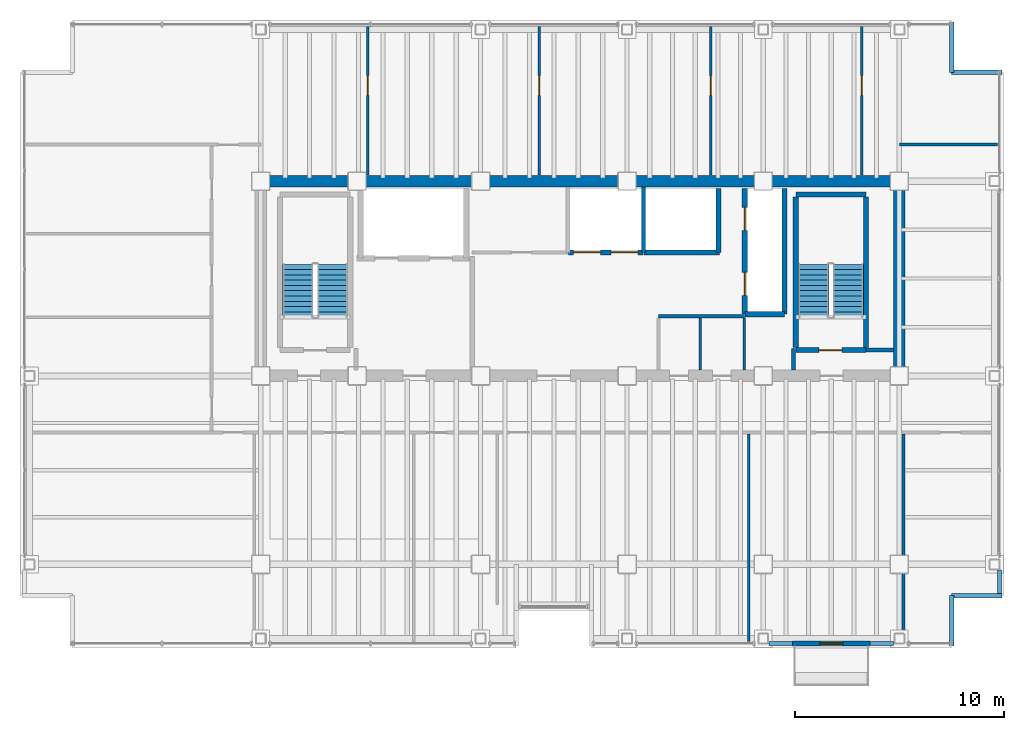
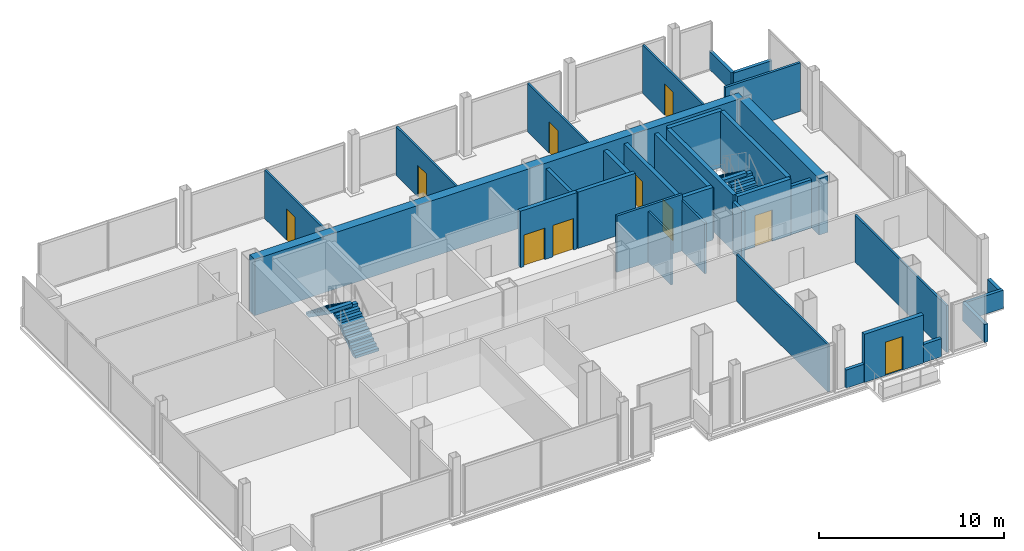
# One storey, part 17 of 19: 33 walls, 10 doors, 4 stair flights, 10 openings, 2 elements without a shape of their own.
"""IFC4 building model written with IfcOpenShell, lengths in metres."""

from ifc_helpers import new_model, si_unit, direction, frame, frame_2d, origin, place, context, subcontext, project, spatial, polyline, rectangle, outline, extrude, material, layer, layer_set, type_object, element, fill, aggregate, save


model = new_model("IFC4")

# Units and contexts
model_context = context("Model", 3, precision=1e-05, world=origin(), true_north=direction((0.0, 1.0)))
body_context = subcontext(model_context, "Body", "Model", "MODEL_VIEW")
ifc_project = project(units=[si_unit("LENGTHUNIT", "METRE"), si_unit("AREAUNIT", "SQUARE_METRE"), si_unit("VOLUMEUNIT", "CUBIC_METRE"), si_unit("PLANEANGLEUNIT", "RADIAN"), si_unit("MASSUNIT", "GRAM", prefix="KILO")], contexts=[model_context])

# Site, building, storey
site_placement = place(None, origin())
site = spatial("IfcSite", under=ifc_project, at=site_placement, CompositionType="ELEMENT")
building_placement = place(site_placement, origin())
building = spatial("IfcBuilding", under=site, at=building_placement, Name="Noeulbin Bourse Tower", CompositionType="ELEMENT")
storey_placement = place(building_placement, frame((0.0, 0.0, 146.10009765625)))
storey = spatial("IfcBuildingStorey", under=building, at=storey_placement, Name="L36", CompositionType="ELEMENT", Elevation=146.10009765625)

# Walls
ifc_material_1 = material(Name="Concrete C60/75", Category="concrete")
ifc_layer_1 = layer(ifc_material_1, 0.550048828125)
ifc_layer_set_1 = layer_set([ifc_layer_1], Name="Concrete C60/75")
wall_type_1 = type_object("IfcWallType", Name="WAL-CORE-550", PredefinedType="SHEAR", material=ifc_layer_set_1)
wall_1_placement = place(storey_placement, frame((13.5, 38.300048828125, 0.0), z_axis=(0.0, 0.0, 1.0), x_axis=(1.0, 0.0, 0.0)))
element("IfcWall", 1, at=wall_1_placement, inside=storey, type_object=wall_type_1, Name="Rear Core North Shear Wall L36", PredefinedType="SHEAR", context=body_context, shape_type="SweptSolid", body=[
    extrude(rectangle(XDim=30.5, YDim=0.550048828125, at=frame_2d((15.25, 0.0))), origin(), (0.0, 0.0, 1.0), 3.719970703125),
])
wall_2_placement = place(storey_placement, frame((44.0, 29.35009765625, 0.0), z_axis=(0.0, 0.0, 1.0), x_axis=(0.0, 1.0, 0.0)))
element("IfcWall", 2, at=wall_2_placement, inside=storey, type_object=wall_type_1, Name="Rear Core East Shear Wall L36", PredefinedType="SHEAR", context=body_context, shape_type="SweptSolid", body=[
    extrude(rectangle(XDim=8.599853515625, YDim=0.550048828125, at=frame_2d((4.2998046875, 0.0))), origin(), (0.0, 0.0, 1.0), 3.719970703125),
])

# Wall, opening, door
ifc_material_2 = material(Name="Precast Concrete C40/50", Category="concrete")
ifc_layer_2 = layer(ifc_material_2, 0.25)
ifc_layer_set_2 = layer_set([ifc_layer_2], Name="Precast Concrete C40/50")
wall_type_2 = type_object("IfcWallType", Name="WAL-EXT-250", PredefinedType="STANDARD", material=ifc_layer_set_2)
wall_3_placement = place(storey_placement, frame((38.89990234375, 16.219970703125, 0.0), z_axis=(0.0, 0.0, 1.0), x_axis=(1.0, 0.0, 0.0)))
wall_3 = element("IfcWall", 3, at=wall_3_placement, inside=storey, type_object=wall_type_2, Name="Balcony Threshold Wall L36", PredefinedType="STANDARD", context=body_context, shape_type="SweptSolid", body=[
    extrude(rectangle(XDim=3.7001953125, YDim=0.25, at=frame_2d((1.85009765625, 0.0))), origin(), (0.0, 0.0, 1.0), 3.179931640625),
])
opening_1_placement = place(wall_3_placement, frame((1.300048828125, 0.0, 0.0)))
opening_1 = element("IfcOpeningElement", 4, at=opening_1_placement, cuts=wall_3, Name="Opening BD-11", PredefinedType="OPENING", context=body_context, shape_type="SweptSolid", body=[
    extrude(rectangle(XDim=1.10009765625, YDim=2.199951171875, at=frame_2d((0.550048828125, 1.10009765625))), frame((0.0, 0.135009765625, 0.0), z_axis=(0.0, -1.0, 0.0), x_axis=(1.0, 0.0, 0.0)), (0.0, 0.0, 1.0), 0.27001953125),
])
ifc_material_3 = material(Name="Thermally Broken Aluminium Framed Glass", Category="aluminium")
door_type_1 = type_object("IfcDoorType", Name="DR-BAL-1100", OperationType="SINGLE_SWING_LEFT", PredefinedType="DOOR", material=ifc_material_3)
door_1_placement = place(opening_1_placement, origin())
door_1 = element("IfcDoor", 5, at=door_1_placement, inside=storey, type_object=door_type_1, Name="Tree-Balcony Access Door BD-L36", OperationType="SINGLE_SWING_RIGHT", OverallHeight=2.199951171875, OverallWidth=1.10009765625, PredefinedType="DOOR", context=body_context, shape_type="SweptSolid", body=[
    extrude(rectangle(XDim=1.10009765625, YDim=2.199951171875, at=frame_2d((0.550048828125, 1.10009765625))), frame((0.0, 0.02490234375, 0.0), z_axis=(0.0, -1.0, 0.0), x_axis=(1.0, 0.0, 0.0)), (0.0, 0.0, 1.0), 0.050048828125),
])
fill(opening_1, door_1)

# Walls
ifc_material_4 = material(Name="Concrete C40/50", Category="concrete")
ifc_layer_3 = layer(ifc_material_4, 0.199951171875)
ifc_layer_set_3 = layer_set([ifc_layer_3], Name="Concrete C40/50")
wall_type_3 = type_object("IfcWallType", Name="WAL-FIRE-200", PredefinedType="STANDARD", material=ifc_layer_set_3)
wall_4_placement = place(storey_placement, frame((42.39990234375, 30.239990234375, 0.0), z_axis=(0.0, 0.0, 1.0), x_axis=(1.0, 0.0, 0.0)))
element("IfcWall", 6, at=wall_4_placement, inside=storey, type_object=wall_type_3, Name="Interior Partition Wall L36-01", PredefinedType="STANDARD", context=body_context, shape_type="SweptSolid", body=[
    extrude(rectangle(XDim=1.315185546875, YDim=0.199951171875, at=frame_2d((0.65771484375, 0.0))), origin(), (0.0, 0.0, 1.0), 3.199951171875),
])
wall_5_placement = place(storey_placement, frame((38.949951171875, 29.284912109375, 0.0), z_axis=(0.0, 0.0, 1.0), x_axis=(0.0, 1.0, 0.0)))
element("IfcWall", 7, at=wall_5_placement, inside=storey, type_object=wall_type_3, Name="Interior Partition Wall L36-10", PredefinedType="STANDARD", context=body_context, shape_type="SweptSolid", body=[
    extrude(rectangle(XDim=1.01513671875, YDim=0.199951171875, at=frame_2d((0.507568359375, 0.0))), origin(), (0.0, 0.0, 1.0), 3.349853515625),
])
ifc_layer_4 = layer(ifc_material_4, 0.199951171875)
ifc_layer_set_4 = layer_set([ifc_layer_4], Name="Concrete C40/50")
wall_type_4 = type_object("IfcWallType", Name="WAL-PAR-200", PredefinedType="PARAPET", material=ifc_layer_set_4)
for number, where, z_axis, x_axis, name in (
    (8, (48.780029296875, 18.60009765625, 0.0), (0.0, 0.0, 1.0), (0.0, 1.0, 0.0), "Perimeter Pier Spandrel Parapet L36-E2"),
    (9, (37.77001953125, 16.219970703125, 0.0), (0.0, 0.0, 1.0), (1.0, 0.0, 0.0), "Perimeter Pier Spandrel Parapet L36-S3"),
    (10, (42.60009765625, 16.219970703125, 0.0), (0.0, 0.0, 1.0), (1.0, 0.0, 0.0), "Perimeter Pier Spandrel Parapet L36-S4"),
):
    element("IfcWall", number, at=place(storey_placement, frame(where, z_axis=z_axis, x_axis=x_axis)), inside=storey, type_object=wall_type_4, Name=name, PredefinedType="PARAPET", context=body_context, shape_type="SweptSolid", body=[
        extrude(rectangle(XDim=1.1298828125, YDim=0.199951171875, at=frame_2d((0.56494140625, 0.0))), origin(), (0.0, 0.0, 1.0), 1.199951171875),
    ])
for number, where, z_axis, x_axis, name in (
    (11, (46.5, 16.10009765625, 0.0), (0.0, 0.0, 1.0), (0.0, 1.0, 0.0), "Corner Notch Parapet L36-SE1"),
    (12, (46.5, 18.5, 0.0), (0.0, 0.0, 1.0), (1.0, 0.0, 0.0), "Corner Notch Parapet L36-SE2"),
    (13, (46.5, 45.89990234375, 0.0), (0.0, 0.0, 1.0), (0.0, -1.0, 0.0), "Corner Notch Parapet L36-NE1"),
    (14, (46.5, 43.5, 0.0), (0.0, 0.0, 1.0), (1.0, 0.0, 0.0), "Corner Notch Parapet L36-NE2"),
):
    element("IfcWall", number, at=place(storey_placement, frame(where, z_axis=z_axis, x_axis=x_axis)), inside=storey, type_object=wall_type_4, Name=name, PredefinedType="PARAPET", context=body_context, shape_type="SweptSolid", body=[
        extrude(rectangle(XDim=2.39990234375, YDim=0.199951171875, at=frame_2d((1.199951171875, 0.0))), origin(), (0.0, 0.0, 1.0), 1.199951171875),
    ])
ifc_material_5 = material(Name="Steel Stud Gypsum Partition", Category="steel")
ifc_layer_5 = layer(ifc_material_5, 0.1201171875)
ifc_layer_set_5 = layer_set([ifc_layer_5], Name="Steel Stud Gypsum Partition")
wall_type_5 = type_object("IfcWallType", Name="WAL-PRT-120", PredefinedType="PARTITIONING", material=ifc_layer_set_5)
for number, where, z_axis, x_axis, name in (
    (15, (36.60009765625, 29.284912109375, 0.0), (0.0, 0.0, 1.0), (0.0, 1.0, 0.0), "Interior Partition Wall L36-13"),
    (16, (34.5, 29.284912109375, 0.0), (0.0, 0.0, 1.0), (0.0, 1.0, 0.0), "Interior Partition Wall L36-14"),
):
    element("IfcWall", number, at=place(storey_placement, frame(where, z_axis=z_axis, x_axis=x_axis)), inside=storey, type_object=wall_type_5, Name=name, PredefinedType="PARTITIONING", context=body_context, shape_type="SweptSolid", body=[
        extrude(rectangle(XDim=2.47998046875, YDim=0.1201171875, at=frame_2d((1.239990234375, 0.0))), origin(), (0.0, 0.0, 1.0), 3.349853515625),
    ])
for number, where, z_axis, x_axis, name in (
    (17, (36.800048828125, 16.31005859375, 0.0), (0.0, 0.0, 1.0), (0.0, 1.0, 0.0), "Interior Partition Wall L36-19"),
    (18, (44.199951171875, 16.31005859375, 0.0), (0.0, 0.0, 1.0), (0.0, 1.0, 0.0), "Interior Partition Wall L36-20"),
):
    element("IfcWall", number, at=place(storey_placement, frame(where, z_axis=z_axis, x_axis=x_axis)), inside=storey, type_object=wall_type_5, Name=name, PredefinedType="PARTITIONING", context=body_context, shape_type="SweptSolid", body=[
        extrude(rectangle(XDim=9.905029296875, YDim=0.1201171875, at=frame_2d((4.95263671875, 0.0))), origin(), (0.0, 0.0, 1.0), 3.099853515625),
    ])

# Wall, opening, door
wall_6_placement = place(storey_placement, frame((18.60009765625, 38.5849609375, 0.0), z_axis=(0.0, 0.0, 1.0), x_axis=(0.0, 1.0, 0.0)))
wall_6 = element("IfcWall", 19, at=wall_6_placement, inside=storey, type_object=wall_type_5, Name="Interior Partition Wall L36-21", PredefinedType="PARTITIONING", context=body_context, shape_type="SweptSolid", body=[
    extrude(rectangle(XDim=7.10498046875, YDim=0.1201171875, at=frame_2d((3.552490234375, 0.0))), origin(), (0.0, 0.0, 1.0), 3.2119140625),
])
opening_2_placement = place(wall_6_placement, frame((3.81005859375, 0.0, 0.0)))
opening_2 = element("IfcOpeningElement", 20, at=opening_2_placement, cuts=wall_6, Name="Opening ID-09", PredefinedType="OPENING", context=body_context, shape_type="SweptSolid", body=[
    extrude(rectangle(XDim=0.949951171875, YDim=2.080078125, at=frame_2d((0.47509765625, 1.0400390625))), frame((0.0, 0.070068359375, 0.0), z_axis=(0.0, -1.0, 0.0), x_axis=(1.0, 0.0, 0.0)), (0.0, 0.0, 1.0), 0.14013671875),
])
ifc_material_6 = material(Name="Acoustic Solid-Core Timber", Category="wood")
door_type_2 = type_object("IfcDoorType", Name="DR-SINGLE-950", OperationType="SINGLE_SWING_LEFT", PredefinedType="DOOR", material=ifc_material_6)
door_2_placement = place(opening_2_placement, origin())
door_2 = element("IfcDoor", 21, at=door_2_placement, inside=storey, type_object=door_type_2, Name="Interior Door L36-18", OperationType="SINGLE_SWING_RIGHT", OverallHeight=2.080078125, OverallWidth=0.949951171875, PredefinedType="DOOR", context=body_context, shape_type="SweptSolid", body=[
    extrude(rectangle(XDim=0.949951171875, YDim=2.080078125, at=frame_2d((0.47509765625, 1.0400390625))), frame((0.0, 0.02490234375, 0.0), z_axis=(0.0, -1.0, 0.0), x_axis=(1.0, 0.0, 0.0)), (0.0, 0.0, 1.0), 0.050048828125),
])
fill(opening_2, door_2)

wall_7_placement = place(storey_placement, frame((26.800048828125, 38.5849609375, 0.0), z_axis=(0.0, 0.0, 1.0), x_axis=(0.0, 1.0, 0.0)))
wall_7 = element("IfcWall", 22, at=wall_7_placement, inside=storey, type_object=wall_type_5, Name="Interior Partition Wall L36-22", PredefinedType="PARTITIONING", context=body_context, shape_type="SweptSolid", body=[
    extrude(rectangle(XDim=7.10498046875, YDim=0.1201171875, at=frame_2d((3.552490234375, 0.0))), origin(), (0.0, 0.0, 1.0), 3.2119140625),
])
opening_3_placement = place(wall_7_placement, frame((3.81005859375, 0.0, 0.0)))
opening_3 = element("IfcOpeningElement", 23, at=opening_3_placement, cuts=wall_7, Name="Opening ID-09", PredefinedType="OPENING", context=body_context, shape_type="SweptSolid", body=[
    extrude(rectangle(XDim=0.949951171875, YDim=2.080078125, at=frame_2d((0.47509765625, 1.0400390625))), frame((0.0, 0.070068359375, 0.0), z_axis=(0.0, -1.0, 0.0), x_axis=(1.0, 0.0, 0.0)), (0.0, 0.0, 1.0), 0.14013671875),
])
door_3_placement = place(opening_3_placement, origin())
door_3 = element("IfcDoor", 24, at=door_3_placement, inside=storey, type_object=door_type_2, Name="Interior Door L36-19", OperationType="SINGLE_SWING_LEFT", OverallHeight=2.080078125, OverallWidth=0.949951171875, PredefinedType="DOOR", context=body_context, shape_type="SweptSolid", body=[
    extrude(rectangle(XDim=0.949951171875, YDim=2.080078125, at=frame_2d((0.47509765625, 1.0400390625))), frame((0.0, 0.02490234375, 0.0), z_axis=(0.0, -1.0, 0.0), x_axis=(1.0, 0.0, 0.0)), (0.0, 0.0, 1.0), 0.050048828125),
])
fill(opening_3, door_3)

wall_8_placement = place(storey_placement, frame((35.0, 38.5849609375, 0.0), z_axis=(0.0, 0.0, 1.0), x_axis=(0.0, 1.0, 0.0)))
wall_8 = element("IfcWall", 25, at=wall_8_placement, inside=storey, type_object=wall_type_5, Name="Interior Partition Wall L36-23", PredefinedType="PARTITIONING", context=body_context, shape_type="SweptSolid", body=[
    extrude(rectangle(XDim=7.10498046875, YDim=0.1201171875, at=frame_2d((3.552490234375, 0.0))), origin(), (0.0, 0.0, 1.0), 3.2119140625),
])
opening_4_placement = place(wall_8_placement, frame((3.81005859375, 0.0, 0.0)))
opening_4 = element("IfcOpeningElement", 26, at=opening_4_placement, cuts=wall_8, Name="Opening ID-09", PredefinedType="OPENING", context=body_context, shape_type="SweptSolid", body=[
    extrude(rectangle(XDim=0.949951171875, YDim=2.080078125, at=frame_2d((0.47509765625, 1.0400390625))), frame((0.0, 0.070068359375, 0.0), z_axis=(0.0, -1.0, 0.0), x_axis=(1.0, 0.0, 0.0)), (0.0, 0.0, 1.0), 0.14013671875),
])
door_4_placement = place(opening_4_placement, origin())
door_4 = element("IfcDoor", 27, at=door_4_placement, inside=storey, type_object=door_type_2, Name="Interior Door L36-20", OperationType="SINGLE_SWING_RIGHT", OverallHeight=2.080078125, OverallWidth=0.949951171875, PredefinedType="DOOR", context=body_context, shape_type="SweptSolid", body=[
    extrude(rectangle(XDim=0.949951171875, YDim=2.080078125, at=frame_2d((0.47509765625, 1.0400390625))), frame((0.0, 0.02490234375, 0.0), z_axis=(0.0, -1.0, 0.0), x_axis=(1.0, 0.0, 0.0)), (0.0, 0.0, 1.0), 0.050048828125),
])
fill(opening_4, door_4)

wall_9_placement = place(storey_placement, frame((42.199951171875, 38.5849609375, 0.0), z_axis=(0.0, 0.0, 1.0), x_axis=(0.0, 1.0, 0.0)))
wall_9 = element("IfcWall", 28, at=wall_9_placement, inside=storey, type_object=wall_type_5, Name="Interior Partition Wall L36-24", PredefinedType="PARTITIONING", context=body_context, shape_type="SweptSolid", body=[
    extrude(rectangle(XDim=7.10498046875, YDim=0.1201171875, at=frame_2d((3.552490234375, 0.0))), origin(), (0.0, 0.0, 1.0), 3.2119140625),
])
opening_5_placement = place(wall_9_placement, frame((3.81005859375, 0.0, 0.0)))
opening_5 = element("IfcOpeningElement", 29, at=opening_5_placement, cuts=wall_9, Name="Opening ID-09", PredefinedType="OPENING", context=body_context, shape_type="SweptSolid", body=[
    extrude(rectangle(XDim=0.949951171875, YDim=2.080078125, at=frame_2d((0.47509765625, 1.0400390625))), frame((0.0, 0.070068359375, 0.0), z_axis=(0.0, -1.0, 0.0), x_axis=(1.0, 0.0, 0.0)), (0.0, 0.0, 1.0), 0.14013671875),
])
door_5_placement = place(opening_5_placement, origin())
door_5 = element("IfcDoor", 30, at=door_5_placement, inside=storey, type_object=door_type_2, Name="Interior Door L36-21", OperationType="SINGLE_SWING_LEFT", OverallHeight=2.080078125, OverallWidth=0.949951171875, PredefinedType="DOOR", context=body_context, shape_type="SweptSolid", body=[
    extrude(rectangle(XDim=0.949951171875, YDim=2.080078125, at=frame_2d((0.47509765625, 1.0400390625))), frame((0.0, 0.02490234375, 0.0), z_axis=(0.0, -1.0, 0.0), x_axis=(1.0, 0.0, 0.0)), (0.0, 0.0, 1.0), 0.050048828125),
])
fill(opening_5, door_5)

# Walls
ifc_material_7 = material(Name="Steel Stud Acoustic Gypsum Board", Category="steel")
ifc_layer_6 = layer(ifc_material_7, 0.14990234375)
ifc_layer_set_6 = layer_set([ifc_layer_6], Name="Steel Stud Acoustic Gypsum Board")
wall_type_6 = type_object("IfcWallType", Name="WAL-PRT-150", PredefinedType="PARTITIONING", material=ifc_layer_set_6)
wall_10_placement = place(storey_placement, frame((32.5, 31.85009765625, 0.0), z_axis=(0.0, 0.0, 1.0), x_axis=(1.0, 0.0, 0.0)))
element("IfcWall", 31, at=wall_10_placement, inside=storey, type_object=wall_type_6, Name="Interior Partition Wall L36-03", PredefinedType="PARTITIONING", context=body_context, shape_type="SweptSolid", body=[
    extrude(rectangle(XDim=4.10009765625, YDim=0.14990234375, at=frame_2d((2.050048828125, 0.0))), origin(), (0.0, 0.0, 1.0), 3.719970703125),
])
wall_11_placement = place(storey_placement, frame((44.0, 40.050048828125, 0.0), z_axis=(0.0, 0.0, 1.0), x_axis=(1.0, 0.0, 0.0)))
element("IfcWall", 32, at=wall_11_placement, inside=storey, type_object=wall_type_6, Name="Interior Partition Wall L36-08", PredefinedType="PARTITIONING", context=body_context, shape_type="SweptSolid", body=[
    extrude(rectangle(XDim=4.68994140625, YDim=0.14990234375, at=frame_2d((2.344970703125, 0.0))), origin(), (0.0, 0.0, 1.0), 3.199951171875),
])

# Wall, opening, door
ifc_layer_7 = layer(ifc_material_4, 0.25)
ifc_layer_set_7 = layer_set([ifc_layer_7], Name="Concrete C40/50")
wall_type_7 = type_object("IfcWallType", Name="WAL-SHFT-250", PredefinedType="STANDARD", material=ifc_layer_set_7)
wall_12_placement = place(storey_placement, frame((39.06005859375, 30.235107421875, 0.0), z_axis=(0.0, 0.0, 1.0), x_axis=(1.0, 0.0, 0.0)))
wall_12 = element("IfcWall", 33, at=wall_12_placement, inside=storey, type_object=wall_type_7, Name="Stair ST-2 South Shaft Wall L36", PredefinedType="STANDARD", context=body_context, shape_type="SweptSolid", body=[
    extrude(rectangle(XDim=3.33984375, YDim=0.25, at=frame_2d((1.669921875, 0.0))), origin(), (0.0, 0.0, 1.0), 3.719970703125),
])
opening_6_placement = place(wall_12_placement, frame((1.10009765625, 0.0, 0.0)))
opening_6 = element("IfcOpeningElement", 34, at=opening_6_placement, cuts=wall_12, Name="Opening FD-11", PredefinedType="OPENING", context=body_context, shape_type="SweptSolid", body=[
    extrude(rectangle(XDim=1.10009765625, YDim=2.080078125, at=frame_2d((0.550048828125, 1.0400390625))), frame((0.0, 0.135009765625, 0.0), z_axis=(0.0, -1.0, 0.0), x_axis=(1.0, 0.0, 0.0)), (0.0, 0.0, 1.0), 0.27001953125),
])
ifc_material_8 = material(Name="Fire-Rated Insulated Steel", Category="steel")
door_type_3 = type_object("IfcDoorType", Name="DR-FD60-1100", OperationType="SINGLE_SWING_LEFT", PredefinedType="DOOR", material=ifc_material_8)
door_6_placement = place(opening_6_placement, origin())
door_6 = element("IfcDoor", 35, at=door_6_placement, inside=storey, type_object=door_type_3, Name="Protected Stair Entry Door ST2-L36", OperationType="SINGLE_SWING_RIGHT", OverallHeight=2.080078125, OverallWidth=1.10009765625, PredefinedType="DOOR", context=body_context, shape_type="SweptSolid", body=[
    extrude(rectangle(XDim=1.10009765625, YDim=2.080078125, at=frame_2d((0.550048828125, 1.0400390625))), frame((0.0, 0.02490234375, 0.0), z_axis=(0.0, -1.0, 0.0), x_axis=(1.0, 0.0, 0.0)), (0.0, 0.0, 1.0), 0.050048828125),
])
fill(opening_6, door_6)

# Walls
wall_13_placement = place(storey_placement, frame((39.06005859375, 37.6689453125, 0.0), z_axis=(0.0, 0.0, 1.0), x_axis=(1.0, 0.0, 0.0)))
element("IfcWall", 36, at=wall_13_placement, inside=storey, type_object=wall_type_7, Name="Stair ST-2 North Shaft Wall L36", PredefinedType="STANDARD", context=body_context, shape_type="SweptSolid", body=[
    extrude(rectangle(XDim=3.33984375, YDim=0.25, at=frame_2d((1.669921875, 0.0))), origin(), (0.0, 0.0, 1.0), 3.719970703125),
])
for number, where, z_axis, x_axis, name in (
    (37, (39.054931640625, 30.360107421875, 0.0), (0.0, 0.0, 1.0), (0.0, 1.0, 0.0), "Stair ST-2 West Shaft Wall L36"),
    (38, (42.405029296875, 30.360107421875, 0.0), (0.0, 0.0, 1.0), (0.0, 1.0, 0.0), "Stair ST-2 East Shaft Wall L36"),
):
    element("IfcWall", number, at=place(storey_placement, frame(where, z_axis=z_axis, x_axis=x_axis)), inside=storey, type_object=wall_type_7, Name=name, PredefinedType="STANDARD", context=body_context, shape_type="SweptSolid", body=[
        extrude(rectangle(XDim=7.183837890625, YDim=0.25, at=frame_2d((3.591796875, 0.0))), origin(), (0.0, 0.0, 1.0), 3.719970703125),
    ])

# Wall, openings, doors
wall_14_placement = place(storey_placement, frame((36.6201171875, 31.949951171875, 0.0), z_axis=(0.0, 0.0, 1.0), x_axis=(0.0, 1.0, 0.0)))
wall_14 = element("IfcWall", 39, at=wall_14_placement, inside=storey, type_object=wall_type_7, Name="Service Lift Shaft Wall L36", PredefinedType="STANDARD", context=body_context, shape_type="SweptSolid", body=[
    extrude(rectangle(XDim=6.0, YDim=0.25, at=frame_2d((3.0, 0.0))), origin(), (0.0, 0.0, 1.0), 3.349853515625),
])
opening_7_placement = place(wall_14_placement, frame((0.89990234375, 0.0, 0.0)))
opening_7 = element("IfcOpeningElement", 40, at=opening_7_placement, cuts=wall_14, Name="Opening LD-11", PredefinedType="OPENING", context=body_context, shape_type="SweptSolid", body=[
    extrude(rectangle(XDim=1.10009765625, YDim=2.080078125, at=frame_2d((0.550048828125, 1.0400390625))), frame((0.0, 0.135009765625, 0.0), z_axis=(0.0, -1.0, 0.0), x_axis=(1.0, 0.0, 0.0)), (0.0, 0.0, 1.0), 0.27001953125),
])
opening_8_placement = place(wall_14_placement, frame((4.0, 0.0, 0.0)))
opening_8 = element("IfcOpeningElement", 41, at=opening_8_placement, cuts=wall_14, Name="Opening LD-11", PredefinedType="OPENING", context=body_context, shape_type="SweptSolid", body=[
    extrude(rectangle(XDim=1.10009765625, YDim=2.080078125, at=frame_2d((0.550048828125, 1.0400390625))), frame((0.0, 0.135009765625, 0.0), z_axis=(0.0, -1.0, 0.0), x_axis=(1.0, 0.0, 0.0)), (0.0, 0.0, 1.0), 0.27001953125),
])
ifc_material_9 = material(Name="Brushed Stainless Steel 316", Category="steel")
door_type_4 = type_object("IfcDoorType", Name="DR-LIFT-1100", OperationType="SLIDING_TO_LEFT", PredefinedType="DOOR", material=ifc_material_9)
door_7_placement = place(opening_7_placement, origin())
door_7 = element("IfcDoor", 42, at=door_7_placement, inside=storey, type_object=door_type_4, Name="Lift Landing Door LD-EL-01-L36", OperationType="SLIDING_TO_LEFT", OverallHeight=2.080078125, OverallWidth=1.10009765625, PredefinedType="DOOR", context=body_context, shape_type="SweptSolid", body=[
    extrude(rectangle(XDim=1.10009765625, YDim=2.080078125, at=frame_2d((0.550048828125, 1.0400390625))), frame((0.0, 0.02490234375, 0.0), z_axis=(0.0, -1.0, 0.0), x_axis=(1.0, 0.0, 0.0)), (0.0, 0.0, 1.0), 0.050048828125),
])
fill(opening_7, door_7)
door_8_placement = place(opening_8_placement, origin())
door_8 = element("IfcDoor", 43, at=door_8_placement, inside=storey, type_object=door_type_4, Name="Lift Landing Door LD-SV-01-L36", OperationType="SLIDING_TO_LEFT", OverallHeight=2.080078125, OverallWidth=1.10009765625, PredefinedType="DOOR", context=body_context, shape_type="SweptSolid", body=[
    extrude(rectangle(XDim=1.10009765625, YDim=2.080078125, at=frame_2d((0.550048828125, 1.0400390625))), frame((0.0, 0.02490234375, 0.0), z_axis=(0.0, -1.0, 0.0), x_axis=(1.0, 0.0, 0.0)), (0.0, 0.0, 1.0), 0.050048828125),
])
fill(opening_8, door_8)

# Walls
wall_15_placement = place(storey_placement, frame((38.52001953125, 31.949951171875, 0.0), z_axis=(0.0, 0.0, 1.0), x_axis=(0.0, 1.0, 0.0)))
element("IfcWall", 44, at=wall_15_placement, inside=storey, type_object=wall_type_7, Name="Service Lift East Shaft Wall L36", PredefinedType="STANDARD", context=body_context, shape_type="SweptSolid", body=[
    extrude(rectangle(XDim=6.0, YDim=0.25, at=frame_2d((3.0, 0.0))), origin(), (0.0, 0.0, 1.0), 3.349853515625),
])
wall_16_placement = place(storey_placement, frame((36.6201171875, 31.949951171875, 0.0), z_axis=(0.0, 0.0, 1.0), x_axis=(1.0, 0.0, 0.0)))
element("IfcWall", 45, at=wall_16_placement, inside=storey, type_object=wall_type_7, Name="Service Lift South Shaft Wall L36", PredefinedType="STANDARD", context=body_context, shape_type="SweptSolid", body=[
    extrude(rectangle(XDim=1.89990234375, YDim=0.25, at=frame_2d((0.949951171875, 0.0))), origin(), (0.0, 0.0, 1.0), 3.47998046875),
])
wall_17_placement = place(storey_placement, frame((35.360107421875, 34.89990234375, 0.0), z_axis=(0.0, 0.0, 1.0), x_axis=(0.0, 1.0, 0.0)))
element("IfcWall", 46, at=wall_17_placement, inside=storey, type_object=wall_type_7, Name="High-Rise Lift East Shaft Wall L36", PredefinedType="STANDARD", context=body_context, shape_type="SweptSolid", body=[
    extrude(rectangle(XDim=3.050048828125, YDim=0.25, at=frame_2d((1.52490234375, 0.0))), origin(), (0.0, 0.0, 1.0), 3.349853515625),
])

# Wall, openings, doors
wall_18_placement = place(storey_placement, frame((28.199951171875, 34.89990234375, 0.0), z_axis=(0.0, 0.0, 1.0), x_axis=(1.0, 0.0, 0.0)))
wall_18 = element("IfcWall", 47, at=wall_18_placement, inside=storey, type_object=wall_type_7, Name="Mid-Rise Lift Bank Front L36", PredefinedType="STANDARD", context=body_context, shape_type="SweptSolid", body=[
    extrude(rectangle(XDim=3.550048828125, YDim=0.25, at=frame_2d((1.77490234375, 0.0))), origin(), (0.0, 0.0, 1.0), 3.719970703125),
])
opening_9_placement = place(wall_18_placement, frame((0.22998046875, 0.0, 0.0)))
opening_9 = element("IfcOpeningElement", 48, at=opening_9_placement, cuts=wall_18, Name="Opening LD-13", PredefinedType="OPENING", context=body_context, shape_type="SweptSolid", body=[
    extrude(rectangle(XDim=1.300048828125, YDim=2.080078125, at=frame_2d((0.64990234375, 1.0400390625))), frame((0.0, 0.135009765625, 0.0), z_axis=(0.0, -1.0, 0.0), x_axis=(1.0, 0.0, 0.0)), (0.0, 0.0, 1.0), 0.27001953125),
])
opening_10_placement = place(wall_18_placement, frame((2.030029296875, 0.0, 0.0)))
opening_10 = element("IfcOpeningElement", 49, at=opening_10_placement, cuts=wall_18, Name="Opening LD-13", PredefinedType="OPENING", context=body_context, shape_type="SweptSolid", body=[
    extrude(rectangle(XDim=1.300048828125, YDim=2.080078125, at=frame_2d((0.64990234375, 1.0400390625))), frame((0.0, 0.135009765625, 0.0), z_axis=(0.0, -1.0, 0.0), x_axis=(1.0, 0.0, 0.0)), (0.0, 0.0, 1.0), 0.27001953125),
])
door_type_5 = type_object("IfcDoorType", Name="DR-LIFT-1300", OperationType="DOUBLE_DOOR_SLIDING", PredefinedType="DOOR", material=ifc_material_9)
door_9_placement = place(opening_9_placement, origin())
door_9 = element("IfcDoor", 50, at=door_9_placement, inside=storey, type_object=door_type_5, Name="Lift Landing Door LD-PL-M1-L36", OperationType="DOUBLE_DOOR_SLIDING", OverallHeight=2.080078125, OverallWidth=1.300048828125, PredefinedType="DOOR", context=body_context, shape_type="SweptSolid", body=[
    extrude(rectangle(XDim=1.300048828125, YDim=2.080078125, at=frame_2d((0.64990234375, 1.0400390625))), frame((0.0, 0.02490234375, 0.0), z_axis=(0.0, -1.0, 0.0), x_axis=(1.0, 0.0, 0.0)), (0.0, 0.0, 1.0), 0.050048828125),
])
fill(opening_9, door_9)
door_10_placement = place(opening_10_placement, origin())
door_10 = element("IfcDoor", 51, at=door_10_placement, inside=storey, type_object=door_type_5, Name="Lift Landing Door LD-PL-M2-L36", OperationType="DOUBLE_DOOR_SLIDING", OverallHeight=2.080078125, OverallWidth=1.300048828125, PredefinedType="DOOR", context=body_context, shape_type="SweptSolid", body=[
    extrude(rectangle(XDim=1.300048828125, YDim=2.080078125, at=frame_2d((0.64990234375, 1.0400390625))), frame((0.0, 0.02490234375, 0.0), z_axis=(0.0, -1.0, 0.0), x_axis=(1.0, 0.0, 0.0)), (0.0, 0.0, 1.0), 0.050048828125),
])
fill(opening_10, door_10)

# Walls
wall_19_placement = place(storey_placement, frame((31.800048828125, 34.89990234375, 0.0), z_axis=(0.0, 0.0, 1.0), x_axis=(1.0, 0.0, 0.0)))
element("IfcWall", 52, at=wall_19_placement, inside=storey, type_object=wall_type_7, Name="High-Rise Lift Bank Front L36", PredefinedType="STANDARD", context=body_context, shape_type="SweptSolid", body=[
    extrude(rectangle(XDim=3.599853515625, YDim=0.25, at=frame_2d((1.7998046875, 0.0))), origin(), (0.0, 0.0, 1.0), 3.719970703125),
])
wall_20_placement = place(storey_placement, frame((31.780029296875, 34.89990234375, 0.0), z_axis=(0.0, 0.0, 1.0), x_axis=(0.0, 1.0, 0.0)))
element("IfcWall", 53, at=wall_20_placement, inside=storey, type_object=wall_type_7, Name="Hoistway Side Shaft Wall L36-PLHW", PredefinedType="STANDARD", context=body_context, shape_type="SweptSolid", body=[
    extrude(rectangle(XDim=3.1201171875, YDim=0.199951171875, at=frame_2d((1.56005859375, 0.0))), origin(), (0.0, 0.0, 1.0), 3.349853515625),
])

# Stair, stair flights
stair_type = type_object("IfcStairType", Name="STR-CORE-1560", PredefinedType="HALF_TURN_STAIR", material=ifc_material_4)
stair_1_placement = place(storey_placement, origin())
stair_1 = element("IfcStair", 54, at=stair_1_placement, inside=storey, type_object=stair_type, Name="L36 ST-1", PredefinedType="HALF_TURN_STAIR")
stair_flight_type = type_object("IfcStairFlightType", Name="SFL-CORE-1560", PredefinedType="STRAIGHT", material=ifc_material_4)
stair_flight_1_placement = place(storey_placement, frame((16.925048828125, 31.81005859375, 0.0), z_axis=(0.0, 0.0, 1.0), x_axis=(0.0, 1.0, 0.0)))
stair_flight_1 = element("IfcStairFlight", 55, at=stair_flight_1_placement, type_object=stair_flight_type, Name="ST-1 flight 1", NumberOfRisers=11, NumberOfTreads=10, PredefinedType="STRAIGHT", RiserHeight=0.177272727, TreadLength=0.252, context=body_context, shape_type="SweptSolid", body=[
    extrude(outline(polyline([(0.0, 0.0), (0.0, 0.17724609375), (0.251953125, 0.17724609375), (0.251953125, 0.3544921875), (0.50390625, 0.3544921875), (0.50390625, 0.53173828125), (0.756103515625, 0.53173828125), (0.756103515625, 0.708984375), (1.008056640625, 0.708984375), (1.008056640625, 0.886474609375), (1.260009765625, 0.886474609375), (1.260009765625, 1.063720703125), (1.511962890625, 1.063720703125), (1.511962890625, 1.240966796875), (1.763916015625, 1.240966796875), (1.763916015625, 1.418212890625), (2.01611328125, 1.418212890625), (2.01611328125, 1.595458984375), (2.26806640625, 1.595458984375), (2.26806640625, 1.772705078125), (2.52001953125, 1.772705078125), (2.52001953125, 1.949951171875), (2.52001953125, 1.552734375), (0.312744140625, 0.0), (0.0, 0.0)])), frame((0.0, 0.72509765625, 0.0), z_axis=(0.0, -1.0, 0.0), x_axis=(1.0, 0.0, 0.0)), (0.0, 0.0, 1.0), 1.449951171875),
])
stair_flight_2_placement = place(storey_placement, frame((15.27490234375, 34.330078125, 1.949951171875), z_axis=(0.0, 0.0, 1.0), x_axis=(0.0, -1.0, 0.0)))
stair_flight_2 = element("IfcStairFlight", 56, at=stair_flight_2_placement, type_object=stair_flight_type, Name="ST-1 flight 2", NumberOfRisers=11, NumberOfTreads=10, PredefinedType="STRAIGHT", RiserHeight=0.177272727, TreadLength=0.252, context=body_context, shape_type="SweptSolid", body=[
    extrude(outline(polyline([(0.0, 0.0), (0.0, 0.17724609375), (0.251953125, 0.17724609375), (0.251953125, 0.3544921875), (0.50390625, 0.3544921875), (0.50390625, 0.53173828125), (0.756103515625, 0.53173828125), (0.756103515625, 0.708984375), (1.008056640625, 0.708984375), (1.008056640625, 0.886474609375), (1.260009765625, 0.886474609375), (1.260009765625, 1.063720703125), (1.511962890625, 1.063720703125), (1.511962890625, 1.240966796875), (1.763916015625, 1.240966796875), (1.763916015625, 1.418212890625), (2.01611328125, 1.418212890625), (2.01611328125, 1.595458984375), (2.26806640625, 1.595458984375), (2.26806640625, 1.772705078125), (2.52001953125, 1.772705078125), (2.52001953125, 1.949951171875), (2.52001953125, 1.552734375), (0.312744140625, 0.0), (0.0, 0.0)])), frame((0.0, 0.72509765625, 0.0), z_axis=(0.0, -1.0, 0.0), x_axis=(1.0, 0.0, 0.0)), (0.0, 0.0, 1.0), 1.449951171875),
])
aggregate(stair_1, [stair_flight_1, stair_flight_2])

stair_2_placement = place(storey_placement, origin())
stair_2 = element("IfcStair", 57, at=stair_2_placement, inside=storey, type_object=stair_type, Name="L36 ST-2", PredefinedType="HALF_TURN_STAIR")
stair_flight_3_placement = place(storey_placement, frame((41.554931640625, 31.81005859375, 0.0), z_axis=(0.0, 0.0, 1.0), x_axis=(0.0, 1.0, 0.0)))
stair_flight_3 = element("IfcStairFlight", 58, at=stair_flight_3_placement, type_object=stair_flight_type, Name="ST-2 flight 1", NumberOfRisers=11, NumberOfTreads=10, PredefinedType="STRAIGHT", RiserHeight=0.177272727, TreadLength=0.252, context=body_context, shape_type="SweptSolid", body=[
    extrude(outline(polyline([(0.0, 0.0), (0.0, 0.17724609375), (0.251953125, 0.17724609375), (0.251953125, 0.3544921875), (0.50390625, 0.3544921875), (0.50390625, 0.53173828125), (0.756103515625, 0.53173828125), (0.756103515625, 0.708984375), (1.008056640625, 0.708984375), (1.008056640625, 0.886474609375), (1.260009765625, 0.886474609375), (1.260009765625, 1.063720703125), (1.511962890625, 1.063720703125), (1.511962890625, 1.240966796875), (1.763916015625, 1.240966796875), (1.763916015625, 1.418212890625), (2.01611328125, 1.418212890625), (2.01611328125, 1.595458984375), (2.26806640625, 1.595458984375), (2.26806640625, 1.772705078125), (2.52001953125, 1.772705078125), (2.52001953125, 1.949951171875), (2.52001953125, 1.552734375), (0.312744140625, 0.0), (0.0, 0.0)])), frame((0.0, 0.72509765625, 0.0), z_axis=(0.0, -1.0, 0.0), x_axis=(1.0, 0.0, 0.0)), (0.0, 0.0, 1.0), 1.449951171875),
])
stair_flight_4_placement = place(storey_placement, frame((39.905029296875, 34.330078125, 1.949951171875), z_axis=(0.0, 0.0, 1.0), x_axis=(0.0, -1.0, 0.0)))
stair_flight_4 = element("IfcStairFlight", 59, at=stair_flight_4_placement, type_object=stair_flight_type, Name="ST-2 flight 2", NumberOfRisers=11, NumberOfTreads=10, PredefinedType="STRAIGHT", RiserHeight=0.177272727, TreadLength=0.252, context=body_context, shape_type="SweptSolid", body=[
    extrude(outline(polyline([(0.0, 0.0), (0.0, 0.17724609375), (0.251953125, 0.17724609375), (0.251953125, 0.3544921875), (0.50390625, 0.3544921875), (0.50390625, 0.53173828125), (0.756103515625, 0.53173828125), (0.756103515625, 0.708984375), (1.008056640625, 0.708984375), (1.008056640625, 0.886474609375), (1.260009765625, 0.886474609375), (1.260009765625, 1.063720703125), (1.511962890625, 1.063720703125), (1.511962890625, 1.240966796875), (1.763916015625, 1.240966796875), (1.763916015625, 1.418212890625), (2.01611328125, 1.418212890625), (2.01611328125, 1.595458984375), (2.26806640625, 1.595458984375), (2.26806640625, 1.772705078125), (2.52001953125, 1.772705078125), (2.52001953125, 1.949951171875), (2.52001953125, 1.552734375), (0.312744140625, 0.0), (0.0, 0.0)])), frame((0.0, 0.72509765625, 0.0), z_axis=(0.0, -1.0, 0.0), x_axis=(1.0, 0.0, 0.0)), (0.0, 0.0, 1.0), 1.449951171875),
])
aggregate(stair_2, [stair_flight_3, stair_flight_4])

save(model, "model.ifc")
